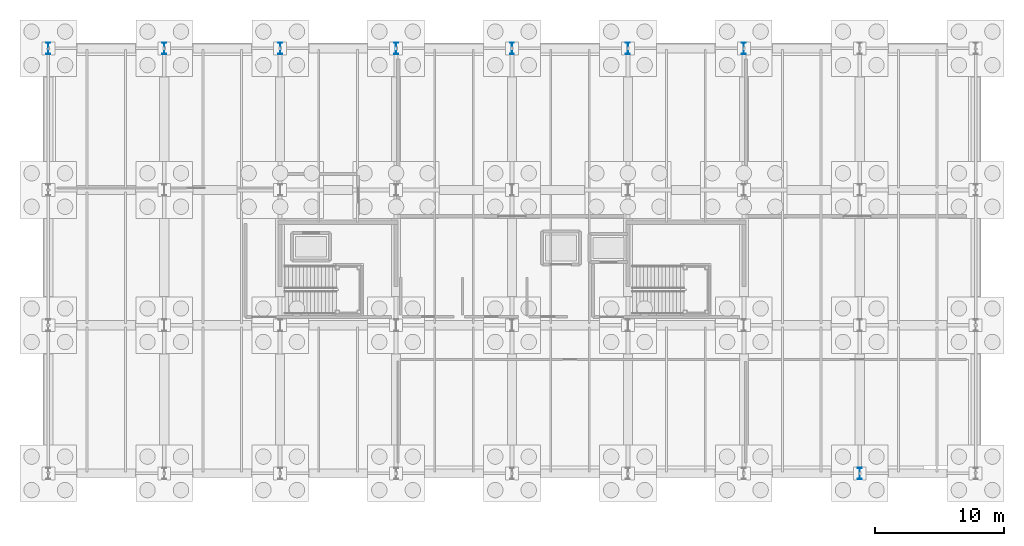
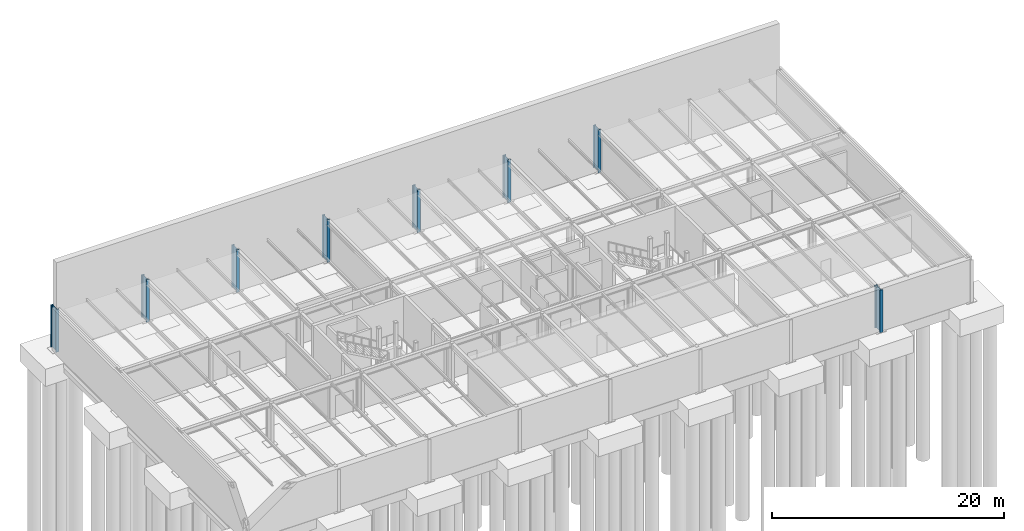
# One storey, part 5 of 19: 8 columns.
"""IFC4 building model written with IfcOpenShell, lengths in metres."""

from ifc_helpers import new_model, si_unit, direction, frame, origin, origin_2d, place, context, subcontext, project, spatial, i_section, extrude, material, material_profile, profile_set, type_object, element, save


model = new_model("IFC4")

# Units and contexts
model_context = context("Model", 3, precision=1e-05, world=origin(), true_north=direction((0.0, 1.0)))
body_context = subcontext(model_context, "Body", "Model", "MODEL_VIEW")
ifc_project = project(units=[si_unit("LENGTHUNIT", "METRE"), si_unit("AREAUNIT", "SQUARE_METRE"), si_unit("VOLUMEUNIT", "CUBIC_METRE"), si_unit("PLANEANGLEUNIT", "RADIAN"), si_unit("MASSUNIT", "GRAM", prefix="KILO")], contexts=[model_context])

# Site, building, storey
site_placement = place(None, origin())
site = spatial("IfcSite", under=ifc_project, at=site_placement, CompositionType="ELEMENT")
building_placement = place(site_placement, origin())
building = spatial("IfcBuilding", under=site, at=building_placement, Name="Marlcrest Central Station", CompositionType="ELEMENT")
storey_placement = place(building_placement, frame((0.0, 0.0, -4.800048828125)))
storey = spatial("IfcBuildingStorey", under=building, at=storey_placement, Name="B1", CompositionType="ELEMENT", Elevation=-4.800048828125)

# Columns
ifc_material = material(Name="Steel S355", Category="steel")
ifc_material_profile = material_profile(ifc_material, i_section(OverallWidth=0.300048828125, OverallDepth=0.89990234375, WebThickness=0.0185546875, FlangeThickness=0.034912109375, FilletRadius=0.030029296875, at=origin_2d()), Name="HEB 900")
ifc_profile_set = profile_set([ifc_material_profile], Name="Steel S355")
column_type = type_object("IfcColumnType", Name="SC-09", PredefinedType="COLUMN", material=ifc_profile_set)
for number, where, z_axis, x_axis, name in (
    (1, (0.0, 132.0, 0.0), (0.0, 0.0, 1.0), (1.0, 0.0, 0.0), "col-SC-09-B1-0004"),
    (2, (9.0, 132.0, 0.0), (0.0, 0.0, 1.0), (1.0, 0.0, 0.0), "col-SC-09-B1-0008"),
    (3, (18.0, 132.0, 0.0), (0.0, 0.0, 1.0), (1.0, 0.0, 0.0), "col-SC-09-B1-0012"),
    (4, (27.0, 132.0, 0.0), (0.0, 0.0, 1.0), (1.0, 0.0, 0.0), "col-SC-09-B1-0016"),
    (5, (36.0, 132.0, 0.0), (0.0, 0.0, 1.0), (1.0, 0.0, 0.0), "col-SC-09-B1-0020"),
    (6, (45.0, 132.0, 0.0), (0.0, 0.0, 1.0), (1.0, 0.0, 0.0), "col-SC-09-B1-0024"),
    (7, (54.0, 132.0, 0.0), (0.0, 0.0, 1.0), (1.0, 0.0, 0.0), "col-SC-09-B1-0028"),
    (8, (63.0, 99.0, 0.0), (0.0, 0.0, 1.0), (1.0, 0.0, 0.0), "col-SC-09-B1-0029"),
):
    element("IfcColumn", number, at=place(storey_placement, frame(where, z_axis=z_axis, x_axis=x_axis)), inside=storey, type_object=column_type, Name=name, PredefinedType="COLUMN", context=body_context, shape_type="SweptSolid", body=[
        extrude(i_section(OverallWidth=0.300048828125, OverallDepth=0.89990234375, WebThickness=0.0185546875, FlangeThickness=0.034912109375, FilletRadius=0.030029296875, at=origin_2d()), origin(), (0.0, 0.0, 1.0), 4.5),
    ])

save(model, "model.ifc")
